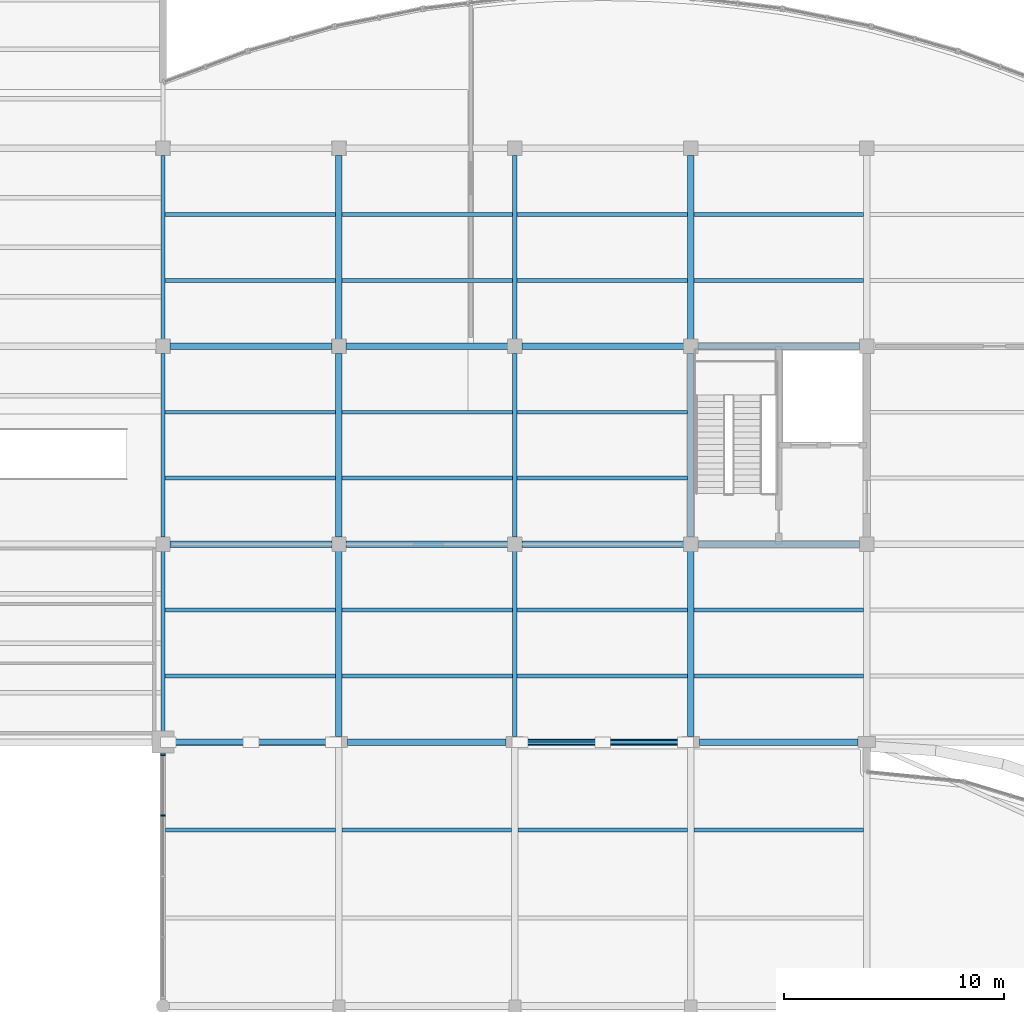
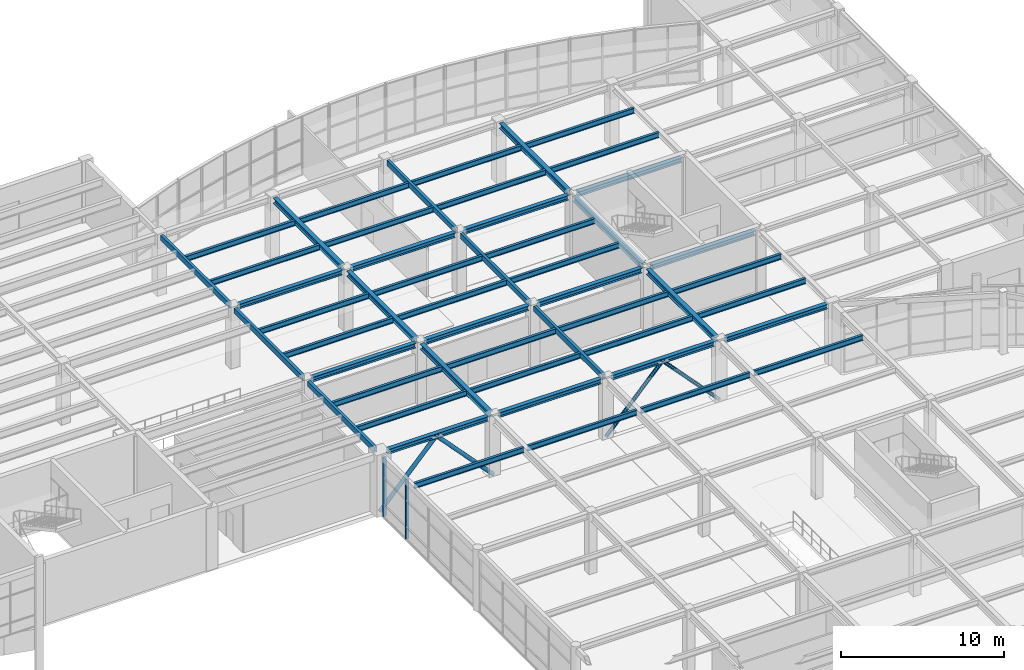
# One storey, part 29 of 63: 50 beams, 6 members, 1 element without a shape of its own.
"""IFC4 building model written with IfcOpenShell, lengths in metres."""

from ifc_helpers import new_model, si_unit, direction, frame, origin, origin_2d, place, context, subcontext, project, spatial, rectangle, hollow_rectangle, hollow_circle, i_section, extrude, material, layer, layer_set, material_profile, profile_set, type_object, element, aggregate, save


model = new_model("IFC4")

# Units and contexts
model_context = context("Model", 3, precision=1e-05, world=origin(), true_north=direction((0.0, 1.0)))
body_context = subcontext(model_context, "Body", "Model", "MODEL_VIEW")
ifc_project = project(units=[si_unit("LENGTHUNIT", "METRE"), si_unit("AREAUNIT", "SQUARE_METRE"), si_unit("VOLUMEUNIT", "CUBIC_METRE"), si_unit("PLANEANGLEUNIT", "RADIAN"), si_unit("MASSUNIT", "GRAM", prefix="KILO")], contexts=[model_context])

# Site, building, storey
site_placement = place(None, origin())
site = spatial("IfcSite", under=ifc_project, at=site_placement, CompositionType="ELEMENT")
building_placement = place(site_placement, origin())
building = spatial("IfcBuilding", under=site, at=building_placement, Name="Keelwater Ferry Terminal", CompositionType="ELEMENT")
storey_placement = place(building_placement, frame((0.0, 0.0, 10.199951171875)))
storey = spatial("IfcBuildingStorey", under=building, at=storey_placement, Name="L02", CompositionType="ELEMENT", Elevation=10.199951171875)

# Members
ifc_material_1 = material(Name="Steel S355", Category="steel")
ifc_material_profile_1 = material_profile(ifc_material_1, hollow_circle(Radius=0.136474609375, WallThickness=0.012451171875, at=origin_2d()), Name="CHS 273x12.5")
ifc_profile_set_1 = profile_set([ifc_material_profile_1], Name="Steel S355")
member_type_1 = type_object("IfcMemberType", Name="BR2 CHS 273x12.5", PredefinedType="BRACE", material=ifc_profile_set_1)
for number, where, z_axis, x_axis, name in (
    (1, (132.0, 90.0, 0.0), (0.683655146647, 0.0, 0.729805207205), (0.0, 1.0, 0.0), "Structural Member MB-L02-0573"),
    (2, (140.0, 90.0, 0.0), (-0.683655146647, 0.0, 0.729805207205), (0.0, -1.0, 0.0), "Structural Member MB-L02-0574"),
):
    element("IfcMember", number, at=place(storey_placement, frame(where, z_axis=z_axis, x_axis=x_axis)), inside=storey, type_object=member_type_1, Name=name, PredefinedType="BRACE", context=body_context, shape_type="SweptSolid", body=[
        extrude(hollow_circle(Radius=0.136474609375, WallThickness=0.012451171875, at=origin_2d()), origin(), (0.0, 0.0, 1.0), 5.850830078125),
    ])
ifc_material_2 = material(Name="Steel S355", Category="steel")
ifc_material_profile_2 = material_profile(ifc_material_2, hollow_circle(Radius=0.122314453125, WallThickness=0.012451171875, at=origin_2d()), Name="CHS 244.5x12.5")
ifc_profile_set_2 = profile_set([ifc_material_profile_2], Name="Steel S355")
member_type_2 = type_object("IfcMemberType", Name="BR3 CHS 244.5x12.5", PredefinedType="BRACE", material=ifc_profile_set_2)
for number, where, z_axis, x_axis, name in (
    (3, (148.0, 90.0, 0.0), (0.683655146647, 0.0, 0.729805207205), (0.0, 1.0, 0.0), "Structural Member MB-L02-0567"),
    (4, (156.0, 90.0, 0.0), (-0.683655146647, 0.0, 0.729805207205), (0.0, -1.0, 0.0), "Structural Member MB-L02-0568"),
):
    element("IfcMember", number, at=place(storey_placement, frame(where, z_axis=z_axis, x_axis=x_axis)), inside=storey, type_object=member_type_2, Name=name, PredefinedType="BRACE", context=body_context, shape_type="SweptSolid", body=[
        extrude(hollow_circle(Radius=0.122314453125, WallThickness=0.012451171875, at=origin_2d()), origin(), (0.0, 0.0, 1.0), 5.850830078125),
    ])

# Curtain wall, members
ifc_material_3 = material(Name="Thermally broken unitised aluminium and triple glass", Category="aluminium")
ifc_layer = layer(ifc_material_3, 0.179931640625)
ifc_layer_set = layer_set([ifc_layer], Name="Thermally broken unitised aluminium and triple glass")
curtain_wall_type = type_object("IfcCurtainWallType", Name="CW-14 Unitised Curtain Wall 11050x4450", PredefinedType="USERDEFINED", material=ifc_layer_set)
curtain_wall_placement = place(storey_placement, origin())
curtain_wall = element("IfcCurtainWall", 5, at=curtain_wall_placement, inside=storey, type_object=curtain_wall_type, Name="Unitised Curtain Wall CW-L02-076", ObjectType="UNITISED CURTAIN WALL", PredefinedType="USERDEFINED")
ifc_material_4 = material(Name="Aluminium mullion", Category="aluminium")
ifc_material_profile_3 = material_profile(ifc_material_4, rectangle(XDim=0.074951171875, YDim=0.219970703125, at=origin_2d()), Name="CWM-02")
ifc_profile_set_3 = profile_set([ifc_material_profile_3], Name="Aluminium mullion")
member_type_3 = type_object("IfcMemberType", Name="CWM-02 Curtain Mullion 75x220", PredefinedType="MULLION", material=ifc_profile_set_3)
member_1_placement = place(storey_placement, frame((132.0, 86.66259765625, 0.0), z_axis=(0.0, 0.0, 1.0), x_axis=(0.0, 1.0, 0.0)))
member_1 = element("IfcMember", 6, at=member_1_placement, type_object=member_type_3, Name="CW-L02-076 Mullion 4", PredefinedType="MULLION", context=body_context, shape_type="SweptSolid", body=[
    extrude(rectangle(XDim=0.074951171875, YDim=0.219970703125, at=origin_2d()), origin(), (0.0, 0.0, 1.0), 4.449951171875),
])
member_2_placement = place(storey_placement, frame((132.0, 89.425048828125, 0.0), z_axis=(0.0, 0.0, 1.0), x_axis=(0.0, 1.0, 0.0)))
member_2 = element("IfcMember", 7, at=member_2_placement, type_object=member_type_3, Name="CW-L02-076 Mullion 5", PredefinedType="MULLION", context=body_context, shape_type="SweptSolid", body=[
    extrude(rectangle(XDim=0.074951171875, YDim=0.219970703125, at=origin_2d()), origin(), (0.0, 0.0, 1.0), 4.449951171875),
])
aggregate(curtain_wall, [member_1, member_2])

# Beams
ifc_material_5 = material(Name="Steel S355", Category="steel")
ifc_material_profile_4 = material_profile(ifc_material_5, i_section(OverallWidth=0.300048828125, OverallDepth=0.39990234375, WebThickness=0.013427734375, FlangeThickness=0.02392578125, at=origin_2d()), Name="HEB 400")
ifc_profile_set_4 = profile_set([ifc_material_profile_4], Name="Steel S355")
beam_type_1 = type_object("IfcBeamType", Name="G7 HEB 400", PredefinedType="BEAM", material=ifc_profile_set_4)
beam_1_placement = place(storey_placement, frame((140.0, 90.2451171875, 4.320068359375), z_axis=(0.0, 1.0, 0.0), x_axis=(-1.0, 0.0, 0.0)))
element("IfcBeam", 8, at=beam_1_placement, inside=storey, type_object=beam_type_1, Name="Beam BM-L02-1112", PredefinedType="BEAM", context=body_context, shape_type="SweptSolid", body=[
    extrude(i_section(OverallWidth=0.300048828125, OverallDepth=0.39990234375, WebThickness=0.013427734375, FlangeThickness=0.02392578125, at=origin_2d()), origin(), (0.0, 0.0, 1.0), 8.436767578125),
])
for number, where, z_axis, x_axis, name in (
    (9, (140.0, 99.318115234375, 4.320068359375), (0.0, 1.0, 0.0), (-1.0, 0.0, 0.0), "Beam BM-L02-1113"),
    (10, (140.0, 108.318115234375, 4.320068359375), (0.0, 1.0, 0.0), (-1.0, 0.0, 0.0), "Beam BM-L02-1114"),
):
    element("IfcBeam", number, at=place(storey_placement, frame(where, z_axis=z_axis, x_axis=x_axis)), inside=storey, type_object=beam_type_1, Name=name, PredefinedType="BEAM", context=body_context, shape_type="SweptSolid", body=[
        extrude(i_section(OverallWidth=0.300048828125, OverallDepth=0.39990234375, WebThickness=0.013427734375, FlangeThickness=0.02392578125, at=origin_2d()), origin(), (0.0, 0.0, 1.0), 8.36376953125),
    ])
beam_2_placement = place(storey_placement, frame((156.0, 90.2451171875, 4.320068359375), z_axis=(0.0, 1.0, 0.0), x_axis=(-1.0, 0.0, 0.0)))
element("IfcBeam", 11, at=beam_2_placement, inside=storey, type_object=beam_type_1, Name="Beam BM-L02-1126", PredefinedType="BEAM", context=body_context, shape_type="SweptSolid", body=[
    extrude(i_section(OverallWidth=0.300048828125, OverallDepth=0.39990234375, WebThickness=0.013427734375, FlangeThickness=0.02392578125, at=origin_2d()), origin(), (0.0, 0.0, 1.0), 8.436767578125),
])
for number, where, z_axis, x_axis, name in (
    (12, (156.0, 99.318115234375, 4.320068359375), (0.0, 1.0, 0.0), (-1.0, 0.0, 0.0), "Beam BM-L02-1127"),
    (13, (156.0, 108.318115234375, 4.320068359375), (0.0, 1.0, 0.0), (-1.0, 0.0, 0.0), "Beam BM-L02-1128"),
):
    element("IfcBeam", number, at=place(storey_placement, frame(where, z_axis=z_axis, x_axis=x_axis)), inside=storey, type_object=beam_type_1, Name=name, PredefinedType="BEAM", context=body_context, shape_type="SweptSolid", body=[
        extrude(i_section(OverallWidth=0.300048828125, OverallDepth=0.39990234375, WebThickness=0.013427734375, FlangeThickness=0.02392578125, at=origin_2d()), origin(), (0.0, 0.0, 1.0), 8.36376953125),
    ])
ifc_material_6 = material(Name="Steel S355", Category="steel")
ifc_material_profile_5 = material_profile(ifc_material_6, i_section(OverallWidth=0.179931640625, OverallDepth=0.39990234375, WebThickness=0.008544921875, FlangeThickness=0.013427734375, at=origin_2d()), Name="IPE 400")
ifc_profile_set_5 = profile_set([ifc_material_profile_5], Name="Steel S355")
beam_type_2 = type_object("IfcBeamType", Name="J5 IPE 400", PredefinedType="JOIST", material=ifc_profile_set_5)
beam_3_placement = place(storey_placement, frame((132.125, 86.0, 4.320068359375), z_axis=(1.0, 0.0, 0.0), x_axis=(0.0, 1.0, 0.0)))
element("IfcBeam", 14, at=beam_3_placement, inside=storey, type_object=beam_type_2, Name="Beam BM-L02-1202", PredefinedType="JOIST", context=body_context, shape_type="SweptSolid", body=[
    extrude(i_section(OverallWidth=0.179931640625, OverallDepth=0.39990234375, WebThickness=0.008544921875, FlangeThickness=0.013427734375, at=origin_2d()), origin(), (0.0, 0.0, 1.0), 7.72509765625),
])
for number, where, z_axis, x_axis, name in (
    (15, (132.10009765625, 93.0, 4.320068359375), (1.0, 0.0, 0.0), (0.0, 1.0, 0.0), "Beam BM-L02-1203"),
    (16, (132.10009765625, 96.0, 4.320068359375), (1.0, 0.0, 0.0), (0.0, 1.0, 0.0), "Beam BM-L02-1204"),
    (17, (132.10009765625, 102.0, 4.320068359375), (1.0, 0.0, 0.0), (0.0, 1.0, 0.0), "Beam BM-L02-1205"),
    (18, (132.10009765625, 105.0, 4.320068359375), (1.0, 0.0, 0.0), (0.0, 1.0, 0.0), "Beam BM-L02-1206"),
    (19, (132.10009765625, 111.0, 4.320068359375), (1.0, 0.0, 0.0), (0.0, 1.0, 0.0), "Beam BM-L02-1207"),
    (20, (132.10009765625, 114.0, 4.320068359375), (1.0, 0.0, 0.0), (0.0, 1.0, 0.0), "Beam BM-L02-1208"),
):
    element("IfcBeam", number, at=place(storey_placement, frame(where, z_axis=z_axis, x_axis=x_axis)), inside=storey, type_object=beam_type_2, Name=name, PredefinedType="JOIST", context=body_context, shape_type="SweptSolid", body=[
        extrude(i_section(OverallWidth=0.179931640625, OverallDepth=0.39990234375, WebThickness=0.008544921875, FlangeThickness=0.013427734375, at=origin_2d()), origin(), (0.0, 0.0, 1.0), 7.75),
    ])
beam_4_placement = place(storey_placement, frame((140.14990234375, 86.0, 4.320068359375), z_axis=(1.0, 0.0, 0.0), x_axis=(0.0, 1.0, 0.0)))
element("IfcBeam", 21, at=beam_4_placement, inside=storey, type_object=beam_type_2, Name="Beam BM-L02-1216", PredefinedType="JOIST", context=body_context, shape_type="SweptSolid", body=[
    extrude(i_section(OverallWidth=0.179931640625, OverallDepth=0.39990234375, WebThickness=0.008544921875, FlangeThickness=0.013427734375, at=origin_2d()), origin(), (0.0, 0.0, 1.0), 7.7001953125),
])
for number, where, z_axis, x_axis, name in (
    (22, (140.14990234375, 93.0, 4.320068359375), (1.0, 0.0, 0.0), (0.0, 1.0, 0.0), "Beam BM-L02-1217"),
    (23, (140.14990234375, 96.0, 4.320068359375), (1.0, 0.0, 0.0), (0.0, 1.0, 0.0), "Beam BM-L02-1218"),
    (24, (140.14990234375, 102.0, 4.320068359375), (1.0, 0.0, 0.0), (0.0, 1.0, 0.0), "Beam BM-L02-1219"),
    (25, (140.14990234375, 105.0, 4.320068359375), (1.0, 0.0, 0.0), (0.0, 1.0, 0.0), "Beam BM-L02-1220"),
    (26, (140.14990234375, 111.0, 4.320068359375), (1.0, 0.0, 0.0), (0.0, 1.0, 0.0), "Beam BM-L02-1221"),
    (27, (140.14990234375, 114.0, 4.320068359375), (1.0, 0.0, 0.0), (0.0, 1.0, 0.0), "Beam BM-L02-1222"),
):
    element("IfcBeam", number, at=place(storey_placement, frame(where, z_axis=z_axis, x_axis=x_axis)), inside=storey, type_object=beam_type_2, Name=name, PredefinedType="JOIST", context=body_context, shape_type="SweptSolid", body=[
        extrude(i_section(OverallWidth=0.179931640625, OverallDepth=0.39990234375, WebThickness=0.008544921875, FlangeThickness=0.013427734375, at=origin_2d()), origin(), (0.0, 0.0, 1.0), 7.75),
    ])
beam_5_placement = place(storey_placement, frame((148.14990234375, 86.0, 4.320068359375), z_axis=(1.0, 0.0, 0.0), x_axis=(0.0, 1.0, 0.0)))
element("IfcBeam", 28, at=beam_5_placement, inside=storey, type_object=beam_type_2, Name="Beam BM-L02-1226", PredefinedType="JOIST", context=body_context, shape_type="SweptSolid", body=[
    extrude(i_section(OverallWidth=0.179931640625, OverallDepth=0.39990234375, WebThickness=0.008544921875, FlangeThickness=0.013427734375, at=origin_2d()), origin(), (0.0, 0.0, 1.0), 7.7001953125),
])
for number, where, z_axis, x_axis, name in (
    (29, (148.10009765625, 93.0, 4.320068359375), (1.0, 0.0, 0.0), (0.0, 1.0, 0.0), "Beam BM-L02-1227"),
    (30, (148.10009765625, 96.0, 4.320068359375), (1.0, 0.0, 0.0), (0.0, 1.0, 0.0), "Beam BM-L02-1228"),
    (31, (148.10009765625, 102.0, 4.320068359375), (1.0, 0.0, 0.0), (0.0, 1.0, 0.0), "Beam BM-L02-1229"),
    (32, (148.10009765625, 105.0, 4.320068359375), (1.0, 0.0, 0.0), (0.0, 1.0, 0.0), "Beam BM-L02-1230"),
    (33, (148.10009765625, 111.0, 4.320068359375), (1.0, 0.0, 0.0), (0.0, 1.0, 0.0), "Beam BM-L02-1231"),
    (34, (148.10009765625, 114.0, 4.320068359375), (1.0, 0.0, 0.0), (0.0, 1.0, 0.0), "Beam BM-L02-1232"),
):
    element("IfcBeam", number, at=place(storey_placement, frame(where, z_axis=z_axis, x_axis=x_axis)), inside=storey, type_object=beam_type_2, Name=name, PredefinedType="JOIST", context=body_context, shape_type="SweptSolid", body=[
        extrude(i_section(OverallWidth=0.179931640625, OverallDepth=0.39990234375, WebThickness=0.008544921875, FlangeThickness=0.013427734375, at=origin_2d()), origin(), (0.0, 0.0, 1.0), 7.75),
    ])
for number, where, z_axis, x_axis, name in (
    (35, (156.14990234375, 86.0, 4.320068359375), (1.0, 0.0, 0.0), (0.0, 1.0, 0.0), "Beam BM-L02-1238"),
    (36, (156.14990234375, 93.0, 4.320068359375), (1.0, 0.0, 0.0), (0.0, 1.0, 0.0), "Beam BM-L02-1239"),
    (37, (156.14990234375, 96.0, 4.320068359375), (1.0, 0.0, 0.0), (0.0, 1.0, 0.0), "Beam BM-L02-1240"),
    (38, (156.14990234375, 111.0, 4.320068359375), (1.0, 0.0, 0.0), (0.0, 1.0, 0.0), "Beam BM-L02-1241"),
    (39, (156.14990234375, 114.0, 4.320068359375), (1.0, 0.0, 0.0), (0.0, 1.0, 0.0), "Beam BM-L02-1242"),
):
    element("IfcBeam", number, at=place(storey_placement, frame(where, z_axis=z_axis, x_axis=x_axis)), inside=storey, type_object=beam_type_2, Name=name, PredefinedType="JOIST", context=body_context, shape_type="SweptSolid", body=[
        extrude(i_section(OverallWidth=0.179931640625, OverallDepth=0.39990234375, WebThickness=0.008544921875, FlangeThickness=0.013427734375, at=origin_2d()), origin(), (0.0, 0.0, 1.0), 7.7001953125),
    ])
ifc_material_7 = material(Name="Steel S355", Category="steel")
ifc_material_profile_6 = material_profile(ifc_material_7, i_section(OverallWidth=0.300048828125, OverallDepth=0.35009765625, WebThickness=0.010009765625, FlangeThickness=0.017578125, at=origin_2d()), Name="HEA 360")
ifc_profile_set_6 = profile_set([ifc_material_profile_6], Name="Steel S355")
beam_type_3 = type_object("IfcBeamType", Name="SP1E HEA 360", PredefinedType="SPANDREL", material=ifc_profile_set_6)
beam_6_placement = place(storey_placement, frame((132.489990234375, 90.0, 4.344970703125), z_axis=(1.0, 0.0, 0.0), x_axis=(0.0, 1.0, 0.0)))
element("IfcBeam", 40, at=beam_6_placement, inside=storey, type_object=beam_type_3, Name="Beam BM-L02-1039", PredefinedType="SPANDREL", context=body_context, shape_type="SweptSolid", body=[
    extrude(i_section(OverallWidth=0.300048828125, OverallDepth=0.35009765625, WebThickness=0.010009765625, FlangeThickness=0.017578125, at=origin_2d()), origin(), (0.0, 0.0, 1.0), 7.117919921875),
])
for number, where, z_axis, x_axis, name in (
    (41, (140.39208984375, 90.0, 4.344970703125), (1.0, 0.0, 0.0), (0.0, 1.0, 0.0), "Beam BM-L02-1040"),
    (42, (148.39208984375, 90.0, 4.344970703125), (1.0, 0.0, 0.0), (0.0, 1.0, 0.0), "Beam BM-L02-1041"),
    (43, (156.39208984375, 90.0, 4.344970703125), (1.0, 0.0, 0.0), (0.0, 1.0, 0.0), "Beam BM-L02-1042"),
):
    element("IfcBeam", number, at=place(storey_placement, frame(where, z_axis=z_axis, x_axis=x_axis)), inside=storey, type_object=beam_type_3, Name=name, PredefinedType="SPANDREL", context=body_context, shape_type="SweptSolid", body=[
        extrude(i_section(OverallWidth=0.300048828125, OverallDepth=0.35009765625, WebThickness=0.010009765625, FlangeThickness=0.017578125, at=origin_2d()), origin(), (0.0, 0.0, 1.0), 7.2158203125),
    ])
for number, where, z_axis, x_axis, name in (
    (44, (132.318115234375, 99.0, 4.344970703125), (1.0, 0.0, 0.0), (0.0, 1.0, 0.0), "Beam BM-L02-1047"),
    (45, (140.318115234375, 99.0, 4.344970703125), (1.0, 0.0, 0.0), (0.0, 1.0, 0.0), "Beam BM-L02-1048"),
    (46, (148.318115234375, 99.0, 4.344970703125), (1.0, 0.0, 0.0), (0.0, 1.0, 0.0), "Beam BM-L02-1049"),
    (47, (156.318115234375, 99.0, 4.344970703125), (1.0, 0.0, 0.0), (0.0, 1.0, 0.0), "Beam BM-L02-1050"),
    (48, (132.318115234375, 108.0, 4.344970703125), (1.0, 0.0, 0.0), (0.0, 1.0, 0.0), "Beam BM-L02-1055"),
    (49, (140.318115234375, 108.0, 4.344970703125), (1.0, 0.0, 0.0), (0.0, 1.0, 0.0), "Beam BM-L02-1056"),
    (50, (148.318115234375, 108.0, 4.344970703125), (1.0, 0.0, 0.0), (0.0, 1.0, 0.0), "Beam BM-L02-1057"),
    (51, (156.318115234375, 108.0, 4.344970703125), (1.0, 0.0, 0.0), (0.0, 1.0, 0.0), "Beam BM-L02-1058"),
):
    element("IfcBeam", number, at=place(storey_placement, frame(where, z_axis=z_axis, x_axis=x_axis)), inside=storey, type_object=beam_type_3, Name=name, PredefinedType="SPANDREL", context=body_context, shape_type="SweptSolid", body=[
        extrude(i_section(OverallWidth=0.300048828125, OverallDepth=0.35009765625, WebThickness=0.010009765625, FlangeThickness=0.017578125, at=origin_2d()), origin(), (0.0, 0.0, 1.0), 7.36376953125),
    ])
ifc_material_8 = material(Name="Steel S355", Category="steel")
ifc_material_profile_7 = material_profile(ifc_material_8, hollow_rectangle(XDim=0.199951171875, YDim=0.39990234375, WallThickness=0.01611328125, at=origin_2d()), Name="RHS 400x200x16")
ifc_profile_set_7 = profile_set([ifc_material_profile_7], Name="Steel S355")
beam_type_4 = type_object("IfcBeamType", Name="SP3E RHS 400x200x16", PredefinedType="SPANDREL", material=ifc_profile_set_7)
beam_7_placement = place(storey_placement, frame((132.0, 90.489990234375, 4.320068359375), z_axis=(0.0, 1.0, 0.0), x_axis=(-1.0, 0.0, 0.0)))
element("IfcBeam", 52, at=beam_7_placement, inside=storey, type_object=beam_type_4, Name="Beam BM-L02-1104", PredefinedType="SPANDREL", context=body_context, shape_type="SweptSolid", body=[
    extrude(hollow_rectangle(XDim=0.199951171875, YDim=0.39990234375, WallThickness=0.01611328125, at=origin_2d()), origin(), (0.0, 0.0, 1.0), 8.19189453125),
])
for number, where, z_axis, x_axis, name in (
    (53, (132.0, 99.318115234375, 4.320068359375), (0.0, 1.0, 0.0), (-1.0, 0.0, 0.0), "Beam BM-L02-1105"),
    (54, (132.0, 108.318115234375, 4.320068359375), (0.0, 1.0, 0.0), (-1.0, 0.0, 0.0), "Beam BM-L02-1106"),
):
    element("IfcBeam", number, at=place(storey_placement, frame(where, z_axis=z_axis, x_axis=x_axis)), inside=storey, type_object=beam_type_4, Name=name, PredefinedType="SPANDREL", context=body_context, shape_type="SweptSolid", body=[
        extrude(hollow_rectangle(XDim=0.199951171875, YDim=0.39990234375, WallThickness=0.01611328125, at=origin_2d()), origin(), (0.0, 0.0, 1.0), 8.36376953125),
    ])
beam_8_placement = place(storey_placement, frame((148.0, 90.2451171875, 4.320068359375), z_axis=(0.0, 1.0, 0.0), x_axis=(-1.0, 0.0, 0.0)))
element("IfcBeam", 55, at=beam_8_placement, inside=storey, type_object=beam_type_4, Name="Beam BM-L02-1119", PredefinedType="SPANDREL", context=body_context, shape_type="SweptSolid", body=[
    extrude(hollow_rectangle(XDim=0.199951171875, YDim=0.39990234375, WallThickness=0.01611328125, at=origin_2d()), origin(), (0.0, 0.0, 1.0), 8.436767578125),
])
for number, where, z_axis, x_axis, name in (
    (56, (148.0, 99.318115234375, 4.320068359375), (0.0, 1.0, 0.0), (-1.0, 0.0, 0.0), "Beam BM-L02-1120"),
    (57, (148.0, 108.318115234375, 4.320068359375), (0.0, 1.0, 0.0), (-1.0, 0.0, 0.0), "Beam BM-L02-1121"),
):
    element("IfcBeam", number, at=place(storey_placement, frame(where, z_axis=z_axis, x_axis=x_axis)), inside=storey, type_object=beam_type_4, Name=name, PredefinedType="SPANDREL", context=body_context, shape_type="SweptSolid", body=[
        extrude(hollow_rectangle(XDim=0.199951171875, YDim=0.39990234375, WallThickness=0.01611328125, at=origin_2d()), origin(), (0.0, 0.0, 1.0), 8.36376953125),
    ])

save(model, "model.ifc")
